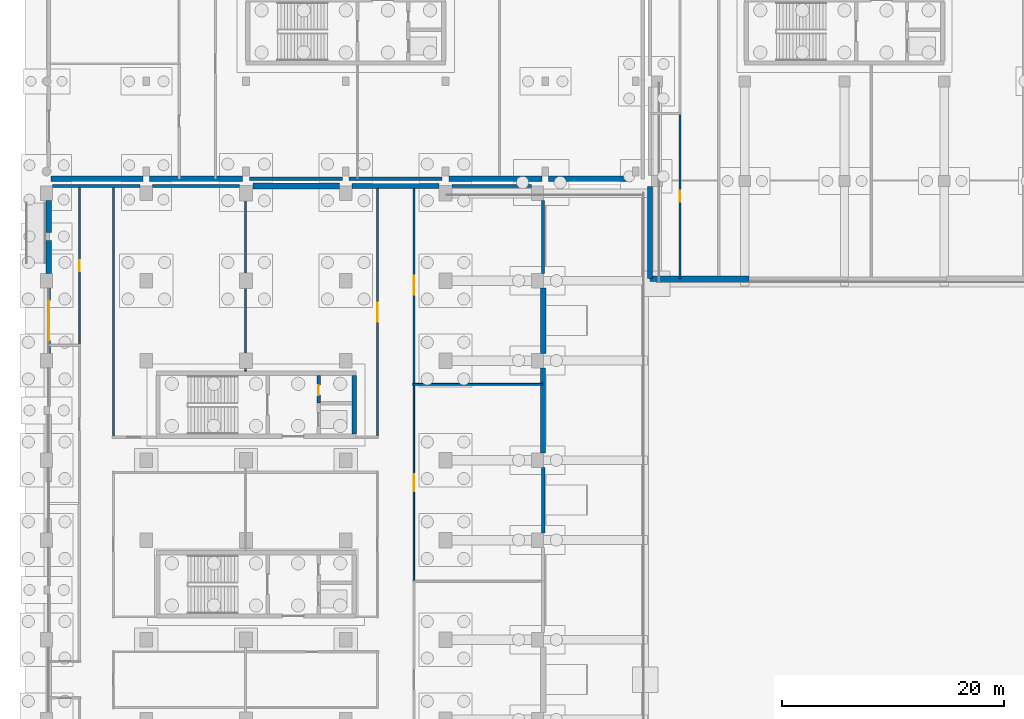
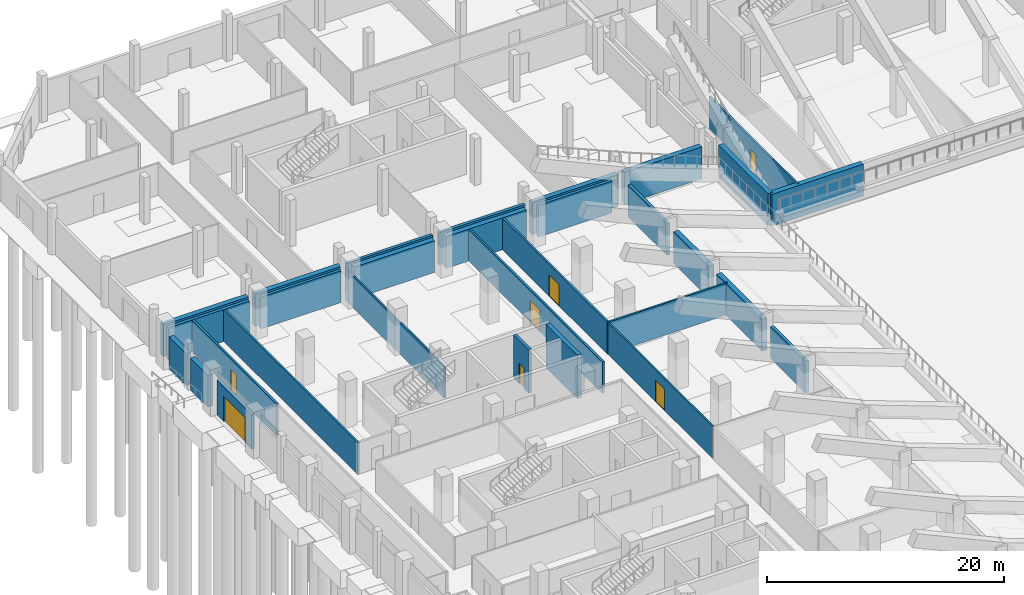
# One storey, part 22 of 53: 30 walls, 7 doors, 7 openings.
"""IFC4 building model written with IfcOpenShell, lengths in metres."""

from ifc_helpers import new_model, si_unit, direction, frame, frame_2d, origin, place, context, subcontext, project, spatial, rectangle, extrude, material, layer, layer_set, type_object, element, fill, save


model = new_model("IFC4")

# Units and contexts
model_context = context("Model", 3, precision=1e-05, world=origin(), true_north=direction((0.0, 1.0)))
body_context = subcontext(model_context, "Body", "Model", "MODEL_VIEW")
ifc_project = project(units=[si_unit("LENGTHUNIT", "METRE"), si_unit("AREAUNIT", "SQUARE_METRE"), si_unit("VOLUMEUNIT", "CUBIC_METRE"), si_unit("PLANEANGLEUNIT", "RADIAN"), si_unit("MASSUNIT", "GRAM", prefix="KILO"), si_unit("THERMODYNAMICTEMPERATUREUNIT", "KELVIN"), si_unit("POWERUNIT", "WATT")], contexts=[model_context])

# Site, building, storey
site_placement = place(None, origin())
site = spatial("IfcSite", under=ifc_project, at=site_placement, CompositionType="ELEMENT")
building_placement = place(site_placement, origin())
building = spatial("IfcBuilding", under=site, at=building_placement, Name="Sindhuravela Promenade Stadium", CompositionType="ELEMENT")
storey_placement = place(building_placement, origin())
storey = spatial("IfcBuildingStorey", under=building, at=storey_placement, Name="L00", CompositionType="ELEMENT", Elevation=0.0)

# Wall, opening, door
ifc_material_1 = material(Name="Dholpur sandstone ashlar (45 MPa)", Category="masonry")
ifc_layer_1 = layer(ifc_material_1, 0.2900390625)
ifc_layer_set_1 = layer_set([ifc_layer_1], Name="Dholpur sandstone ashlar (45 MPa)")
wall_type_1 = type_object("IfcWallType", Name="EX-WL-SND290", PredefinedType="SOLIDWALL", material=ifc_layer_set_1)
wall_1_placement = place(storey_placement, frame((0.199951171875, 110.455078125, 0.0), z_axis=(0.0, 0.0, 1.0), x_axis=(0.0, 1.0, 0.0)))
wall_1 = element("IfcWall", 1, at=wall_1_placement, inside=storey, type_object=wall_type_1, Name="Exterior masonry wall EW10 WEST L00", PredefinedType="SOLIDWALL", context=body_context, shape_type="SweptSolid", body=[
    extrude(rectangle(XDim=5.889892578125, YDim=0.2900390625, at=frame_2d((2.94482421875, 0.0))), origin(), (0.0, 0.0, 1.0), 3.580078125),
])
opening_1_placement = place(wall_1_placement, frame((1.14501953125, 0.0, 0.0)))
opening_1 = element("IfcOpeningElement", 2, at=opening_1_placement, cuts=wall_1, Name="Opening E13", PredefinedType="OPENING", context=body_context, shape_type="SweptSolid", body=[
    extrude(rectangle(XDim=3.60009765625, YDim=2.60009765625, at=frame_2d((1.800048828125, 1.300048828125))), frame((0.0, 0.155029296875, 0.0), z_axis=(0.0, -1.0, 0.0), x_axis=(1.0, 0.0, 0.0)), (0.0, 0.0, 1.0), 0.31005859375),
])
ifc_material_2 = material(Name="Anodised architectural aluminium 6063-T6", Category="aluminium")
door_type_1 = type_object("IfcDoorType", Name="DR-EXIT-3600x2600", OperationType="DOUBLE_DOOR_SINGLE_SWING", PredefinedType="DOOR", material=ifc_material_2)
door_1_placement = place(opening_1_placement, origin())
door_1 = element("IfcDoor", 3, at=door_1_placement, inside=storey, type_object=door_type_1, Name="Final exit door E13", OperationType="DOUBLE_DOOR_SINGLE_SWING", OverallHeight=2.60009765625, OverallWidth=3.60009765625, PredefinedType="DOOR", context=body_context, shape_type="SweptSolid", body=[
    extrude(rectangle(XDim=3.60009765625, YDim=2.60009765625, at=frame_2d((1.800048828125, 1.300048828125))), frame((0.0, 0.02490234375, 0.0), z_axis=(0.0, -1.0, 0.0), x_axis=(1.0, 0.0, 0.0)), (0.0, 0.0, 1.0), 0.050048828125),
])
fill(opening_1, door_1)

# Walls
wall_2_placement = place(storey_placement, frame((9.554931640625, 125.550048828125, 0.0), z_axis=(0.0, 0.0, 1.0), x_axis=(1.0, 0.0, 0.0)))
element("IfcWall", 4, at=wall_2_placement, inside=storey, type_object=wall_type_1, Name="Exterior masonry wall EW10 WEST L00", PredefinedType="SOLIDWALL", context=body_context, shape_type="SweptSolid", body=[
    extrude(rectangle(XDim=7.840087890625, YDim=0.2900390625, at=frame_2d((3.919921875, 0.0))), origin(), (0.0, 0.0, 1.0), 3.280029296875),
])
wall_3_placement = place(storey_placement, frame((44.800048828125, 124.2451171875, 0.0), z_axis=(0.0, 0.0, 1.0), x_axis=(0.0, -1.0, 0.0)))
element("IfcWall", 5, at=wall_3_placement, inside=storey, type_object=wall_type_1, Name="Exterior masonry wall EW10 WEST L00", PredefinedType="SOLIDWALL", context=body_context, shape_type="SweptSolid", body=[
    extrude(rectangle(XDim=6.590087890625, YDim=0.2900390625, at=frame_2d((3.294921875, 0.0))), origin(), (0.0, 0.0, 1.0), 3.280029296875),
])
wall_4_placement = place(storey_placement, frame((26.695068359375, 126.199951171875, 0.0), z_axis=(0.0, 0.0, 1.0), x_axis=(-1.0, 0.0, 0.0)))
element("IfcWall", 6, at=wall_4_placement, inside=storey, type_object=wall_type_1, Name="Exterior masonry wall EW10 Pavilion NW L00", PredefinedType="SOLIDWALL", context=body_context, shape_type="SweptSolid", body=[
    extrude(rectangle(XDim=8.39013671875, YDim=0.2900390625, at=frame_2d((4.195068359375, 0.0))), origin(), (0.0, 0.0, 1.0), 3.280029296875),
])
ifc_layer_2 = layer(ifc_material_1, 0.31005859375)
ifc_layer_set_2 = layer_set([ifc_layer_2], Name="Dholpur sandstone ashlar (45 MPa)")
wall_type_2 = type_object("IfcWallType", Name="EX-WL-SND310", PredefinedType="SOLIDWALL", material=ifc_layer_set_2)
wall_5_placement = place(storey_placement, frame((0.554931640625, 125.550048828125, 0.0), z_axis=(0.0, 0.0, 1.0), x_axis=(1.0, 0.0, 0.0)))
element("IfcWall", 7, at=wall_5_placement, inside=storey, type_object=wall_type_2, Name="Exterior masonry wall EW09 WEST L00", PredefinedType="SOLIDWALL", context=body_context, shape_type="SweptSolid", body=[
    extrude(rectangle(XDim=7.89013671875, YDim=0.31005859375, at=frame_2d((3.945068359375, 0.0))), origin(), (0.0, 0.0, 1.0), 3.280029296875),
])
wall_6_placement = place(storey_placement, frame((36.60498046875, 125.550048828125, 0.0), z_axis=(0.0, 0.0, 1.0), x_axis=(1.0, 0.0, 0.0)))
element("IfcWall", 8, at=wall_6_placement, inside=storey, type_object=wall_type_2, Name="Exterior masonry wall EW09 WEST L00", PredefinedType="SOLIDWALL", context=body_context, shape_type="SweptSolid", body=[
    extrude(rectangle(XDim=7.14013671875, YDim=0.31005859375, at=frame_2d((3.570068359375, 0.0))), origin(), (0.0, 0.0, 1.0), 3.280029296875),
])
wall_7_placement = place(storey_placement, frame((44.800048828125, 100.14501953125, 0.0), z_axis=(0.0, 0.0, 1.0), x_axis=(0.0, -1.0, 0.0)))
element("IfcWall", 9, at=wall_7_placement, inside=storey, type_object=wall_type_2, Name="Exterior masonry wall EW09 WEST L00", PredefinedType="SOLIDWALL", context=body_context, shape_type="SweptSolid", body=[
    extrude(rectangle(XDim=5.89013671875, YDim=0.31005859375, at=frame_2d((2.945068359375, 0.0))), origin(), (0.0, 0.0, 1.0), 3.280029296875),
])
wall_8_placement = place(storey_placement, frame((35.695068359375, 126.199951171875, 0.0), z_axis=(0.0, 0.0, 1.0), x_axis=(-1.0, 0.0, 0.0)))
element("IfcWall", 10, at=wall_8_placement, inside=storey, type_object=wall_type_2, Name="Exterior masonry wall EW09 Pavilion NW L00", PredefinedType="SOLIDWALL", context=body_context, shape_type="SweptSolid", body=[
    extrude(rectangle(XDim=8.39013671875, YDim=0.31005859375, at=frame_2d((4.195068359375, 0.0))), origin(), (0.0, 0.0, 1.0), 3.280029296875),
])
ifc_layer_3 = layer(ifc_material_1, 0.47998046875)
ifc_layer_set_3 = layer_set([ifc_layer_3], Name="Dholpur sandstone ashlar (45 MPa)")
wall_type_3 = type_object("IfcWallType", Name="EX-WL-SND480", PredefinedType="SOLIDWALL", material=ifc_layer_set_3)
wall_9_placement = place(storey_placement, frame((0.199951171875, 121.35498046875, 0.0), z_axis=(0.0, 0.0, 1.0), x_axis=(0.0, 1.0, 0.0)))
element("IfcWall", 11, at=wall_9_placement, inside=storey, type_object=wall_type_3, Name="Exterior masonry wall EW08 WEST L00", PredefinedType="SOLIDWALL", context=body_context, shape_type="SweptSolid", body=[
    extrude(rectangle(XDim=2.89013671875, YDim=0.47998046875, at=frame_2d((1.445068359375, 0.0))), origin(), (0.0, 0.0, 1.0), 3.280029296875),
])
wall_10_placement = place(storey_placement, frame((27.554931640625, 125.550048828125, 0.0), z_axis=(0.0, 0.0, 1.0), x_axis=(1.0, 0.0, 0.0)))
element("IfcWall", 12, at=wall_10_placement, inside=storey, type_object=wall_type_3, Name="Exterior masonry wall EW08 WEST L00", PredefinedType="SOLIDWALL", context=body_context, shape_type="SweptSolid", body=[
    extrude(rectangle(XDim=7.840087890625, YDim=0.47998046875, at=frame_2d((3.919921875, 0.0))), origin(), (0.0, 0.0, 1.0), 3.280029296875),
])
wall_11_placement = place(storey_placement, frame((44.800048828125, 109.14501953125, 0.0), z_axis=(0.0, 0.0, 1.0), x_axis=(0.0, -1.0, 0.0)))
element("IfcWall", 13, at=wall_11_placement, inside=storey, type_object=wall_type_3, Name="Exterior masonry wall EW08 WEST L00", PredefinedType="SOLIDWALL", context=body_context, shape_type="SweptSolid", body=[
    extrude(rectangle(XDim=7.68994140625, YDim=0.47998046875, at=frame_2d((3.844970703125, 0.0))), origin(), (0.0, 0.0, 1.0), 3.280029296875),
])
wall_12_placement = place(storey_placement, frame((54.449951171875, 117.199951171875, 0.0), z_axis=(0.0, 0.0, 1.0), x_axis=(0.0, 1.0, 0.0)))
element("IfcWall", 14, at=wall_12_placement, inside=storey, type_object=wall_type_3, Name="Exterior masonry wall EW08 NORTH L00", PredefinedType="SOLIDWALL", context=body_context, shape_type="SweptSolid", body=[
    extrude(rectangle(XDim=8.295166015625, YDim=0.47998046875, at=frame_2d((4.1474609375, 0.0))), origin(), (0.0, 0.0, 1.0), 3.280029296875),
])
wall_13_placement = place(storey_placement, frame((44.695068359375, 126.199951171875, 0.0), z_axis=(0.0, 0.0, 1.0), x_axis=(-1.0, 0.0, 0.0)))
element("IfcWall", 15, at=wall_13_placement, inside=storey, type_object=wall_type_3, Name="Exterior masonry wall EW08 Pavilion NW L00", PredefinedType="SOLIDWALL", context=body_context, shape_type="SweptSolid", body=[
    extrude(rectangle(XDim=8.39013671875, YDim=0.47998046875, at=frame_2d((4.195068359375, 0.0))), origin(), (0.0, 0.0, 1.0), 3.280029296875),
])
wall_14_placement = place(storey_placement, frame((8.695068359375, 126.199951171875, 0.0), z_axis=(0.0, 0.0, 1.0), x_axis=(-1.0, 0.0, 0.0)))
element("IfcWall", 16, at=wall_14_placement, inside=storey, type_object=wall_type_3, Name="Exterior masonry wall EW08 Pavilion NW L00", PredefinedType="SOLIDWALL", context=body_context, shape_type="SweptSolid", body=[
    extrude(rectangle(XDim=8.2900390625, YDim=0.47998046875, at=frame_2d((4.14501953125, 0.0))), origin(), (0.0, 0.0, 1.0), 3.280029296875),
])
ifc_layer_4 = layer(ifc_material_1, 0.5)
ifc_layer_set_4 = layer_set([ifc_layer_4], Name="Dholpur sandstone ashlar (45 MPa)")
wall_type_4 = type_object("IfcWallType", Name="EX-WL-SND500", PredefinedType="SOLIDWALL", material=ifc_layer_set_4)
wall_15_placement = place(storey_placement, frame((0.199951171875, 117.655029296875, 0.0), z_axis=(0.0, 0.0, 1.0), x_axis=(0.0, 1.0, 0.0)))
element("IfcWall", 17, at=wall_15_placement, inside=storey, type_object=wall_type_4, Name="Exterior masonry wall EW07 WEST L00", PredefinedType="SOLIDWALL", context=body_context, shape_type="SweptSolid", body=[
    extrude(rectangle(XDim=2.989990234375, YDim=0.5, at=frame_2d((1.4951171875, 0.0))), origin(), (0.0, 0.0, 1.0), 3.280029296875),
])
wall_16_placement = place(storey_placement, frame((18.60498046875, 125.550048828125, 0.0), z_axis=(0.0, 0.0, 1.0), x_axis=(1.0, 0.0, 0.0)))
element("IfcWall", 18, at=wall_16_placement, inside=storey, type_object=wall_type_4, Name="Exterior masonry wall EW07 WEST L00", PredefinedType="SOLIDWALL", context=body_context, shape_type="SweptSolid", body=[
    extrude(rectangle(XDim=7.840087890625, YDim=0.5, at=frame_2d((3.919921875, 0.0))), origin(), (0.0, 0.0, 1.0), 3.280029296875),
])
wall_17_placement = place(storey_placement, frame((44.800048828125, 116.344970703125, 0.0), z_axis=(0.0, 0.0, 1.0), x_axis=(0.0, -1.0, 0.0)))
element("IfcWall", 19, at=wall_17_placement, inside=storey, type_object=wall_type_4, Name="Exterior masonry wall EW07 WEST L00", PredefinedType="SOLIDWALL", context=body_context, shape_type="SweptSolid", body=[
    extrude(rectangle(XDim=5.889892578125, YDim=0.5, at=frame_2d((2.94482421875, 0.0))), origin(), (0.0, 0.0, 1.0), 3.280029296875),
])
wall_18_placement = place(storey_placement, frame((63.375, 117.199951171875, 0.0), z_axis=(0.0, 0.0, 1.0), x_axis=(-1.0, 0.0, 0.0)))
element("IfcWall", 20, at=wall_18_placement, inside=storey, type_object=wall_type_4, Name="Exterior masonry wall EW07 NORTH L00", PredefinedType="SOLIDWALL", context=body_context, shape_type="SweptSolid", body=[
    extrude(rectangle(XDim=8.925048828125, YDim=0.5, at=frame_2d((4.46240234375, 0.0))), origin(), (0.0, 0.0, 1.0), 3.280029296875),
])
wall_19_placement = place(storey_placement, frame((52.844970703125, 126.199951171875, 0.0), z_axis=(0.0, 0.0, 1.0), x_axis=(-1.0, 0.0, 0.0)))
element("IfcWall", 21, at=wall_19_placement, inside=storey, type_object=wall_type_4, Name="Exterior masonry wall EW07 Pavilion NW L00", PredefinedType="SOLIDWALL", context=body_context, shape_type="SweptSolid", body=[
    extrude(rectangle(XDim=7.5400390625, YDim=0.5, at=frame_2d((3.77001953125, 0.0))), origin(), (0.0, 0.0, 1.0), 3.280029296875),
])
wall_20_placement = place(storey_placement, frame((17.695068359375, 126.199951171875, 0.0), z_axis=(0.0, 0.0, 1.0), x_axis=(-1.0, 0.0, 0.0)))
element("IfcWall", 22, at=wall_20_placement, inside=storey, type_object=wall_type_4, Name="Exterior masonry wall EW07 Pavilion NW L00", PredefinedType="SOLIDWALL", context=body_context, shape_type="SweptSolid", body=[
    extrude(rectangle(XDim=8.39013671875, YDim=0.5, at=frame_2d((4.195068359375, 0.0))), origin(), (0.0, 0.0, 1.0), 3.280029296875),
])
ifc_material_3 = material(Name="Fire-rated gypsum partition board", Category="gypsum")
ifc_layer_5 = layer(ifc_material_3, 0.14990234375)
ifc_layer_set_5 = layer_set([ifc_layer_5], Name="Fire-rated gypsum partition board")
wall_type_5 = type_object("IfcWallType", Name="IN-WL-PAR150", PredefinedType="PARTITIONING", material=ifc_layer_set_5)
wall_21_placement = place(storey_placement, frame((17.949951171875, 125.510009765625, 0.0), z_axis=(0.0, 0.0, 1.0), x_axis=(0.0, -1.0, 0.0)))
element("IfcWall", 23, at=wall_21_placement, inside=storey, type_object=wall_type_5, Name="Interior partition IW04 WEST L00", PredefinedType="PARTITIONING", context=body_context, shape_type="SweptSolid", body=[
    extrude(rectangle(XDim=16.657958984375, YDim=0.14990234375, at=frame_2d((8.3291015625, 0.0))), origin(), (0.0, 0.0, 1.0), 3.280029296875),
])

# Wall, opening, door
wall_22_placement = place(storey_placement, frame((33.139892578125, 107.657958984375, 0.0), z_axis=(0.0, 0.0, 1.0), x_axis=(0.0, -1.0, 0.0)))
wall_22 = element("IfcWall", 24, at=wall_22_placement, inside=storey, type_object=wall_type_5, Name="Corridor partition IW04 Anti-Doping Testing Suite", PredefinedType="PARTITIONING", context=body_context, shape_type="SweptSolid", body=[
    extrude(rectangle(XDim=17.77197265625, YDim=0.14990234375, at=frame_2d((8.885986328125, 0.0))), origin(), (0.0, 0.0, 1.0), 3.280029296875),
])
opening_2_placement = place(wall_22_placement, frame((8.111083984375, 0.0, 0.0)))
opening_2 = element("IfcOpeningElement", 25, at=opening_2_placement, cuts=wall_22, Name="Opening ID02", PredefinedType="OPENING", context=body_context, shape_type="SweptSolid", body=[
    extrude(rectangle(XDim=1.550048828125, YDim=2.199951171875, at=frame_2d((0.77490234375, 1.10009765625))), frame((0.0, 0.0849609375, 0.0), z_axis=(0.0, -1.0, 0.0), x_axis=(1.0, 0.0, 0.0)), (0.0, 0.0, 1.0), 0.169921875),
])
ifc_material_4 = material(Name="Architectural teak timber leaf", Category="wood")
door_type_2 = type_object("IfcDoorType", Name="DR-INT-1550x2200", OperationType="DOUBLE_DOOR_SINGLE_SWING", PredefinedType="DOOR", material=ifc_material_4)
door_2_placement = place(opening_2_placement, origin())
door_2 = element("IfcDoor", 26, at=door_2_placement, inside=storey, type_object=door_type_2, Name="Anti-Doping Testing Suite door", OperationType="DOUBLE_DOOR_SINGLE_SWING", OverallHeight=2.199951171875, OverallWidth=1.550048828125, PredefinedType="DOOR", context=body_context, shape_type="SweptSolid", body=[
    extrude(rectangle(XDim=1.550048828125, YDim=2.199951171875, at=frame_2d((0.77490234375, 1.10009765625))), frame((0.0, 0.02490234375, 0.0), z_axis=(0.0, -1.0, 0.0), x_axis=(1.0, 0.0, 0.0)), (0.0, 0.0, 1.0), 0.050048828125),
])
fill(opening_2, door_2)

# Walls
ifc_layer_6 = layer(ifc_material_3, 0.175048828125)
ifc_layer_set_6 = layer_set([ifc_layer_6], Name="Fire-rated gypsum partition board")
wall_type_6 = type_object("IfcWallType", Name="IN-WL-PAR175", PredefinedType="PARTITIONING", material=ifc_layer_set_6)
wall_23_placement = place(storey_placement, frame((6.0400390625, 102.81005859375, 0.0), z_axis=(0.0, 0.0, 1.0), x_axis=(0.0, 1.0, 0.0)))
element("IfcWall", 27, at=wall_23_placement, inside=storey, type_object=wall_type_6, Name="Interior partition IW03 WEST L00", PredefinedType="PARTITIONING", context=body_context, shape_type="SweptSolid", body=[
    extrude(rectangle(XDim=22.699951171875, YDim=0.175048828125, at=frame_2d((11.35009765625, 0.0))), origin(), (0.0, 0.0, 1.0), 3.280029296875),
])
wall_24_placement = place(storey_placement, frame((44.760009765625, 107.657958984375, 0.0), z_axis=(0.0, 0.0, 1.0), x_axis=(-1.0, 0.0, 0.0)))
element("IfcWall", 28, at=wall_24_placement, inside=storey, type_object=wall_type_6, Name="Interior partition IW03 WEST L00", PredefinedType="PARTITIONING", context=body_context, shape_type="SweptSolid", body=[
    extrude(rectangle(XDim=11.699951171875, YDim=0.175048828125, at=frame_2d((5.85009765625, 0.0))), origin(), (0.0, 0.0, 1.0), 3.280029296875),
])

# Wall, opening, door
wall_25_placement = place(storey_placement, frame((57.159912109375, 117.199951171875, 0.0), z_axis=(0.0, 0.0, 1.0), x_axis=(0.0, 1.0, 0.0)))
wall_25 = element("IfcWall", 29, at=wall_25_placement, inside=storey, type_object=wall_type_6, Name="Corridor partition IW03 North Field Concourse Hall 9", PredefinedType="PARTITIONING", context=body_context, shape_type="SweptSolid", body=[
    extrude(rectangle(XDim=14.89013671875, YDim=0.175048828125, at=frame_2d((7.445068359375, 0.0))), origin(), (0.0, 0.0, 1.0), 3.280029296875),
])
opening_3_placement = place(wall_25_placement, frame((6.945068359375, 0.0, 0.0)))
opening_3 = element("IfcOpeningElement", 30, at=opening_3_placement, cuts=wall_25, Name="Opening ID08", PredefinedType="OPENING", context=body_context, shape_type="SweptSolid", body=[
    extrude(rectangle(XDim=1.0, YDim=2.10009765625, at=frame_2d((0.5, 1.050048828125))), frame((0.0, 0.097412109375, 0.0), z_axis=(0.0, -1.0, 0.0), x_axis=(1.0, 0.0, 0.0)), (0.0, 0.0, 1.0), 0.195068359375),
])
door_type_3 = type_object("IfcDoorType", Name="DR-INT-1000x2100", OperationType="NOTDEFINED", PredefinedType="DOOR", material=ifc_material_4)
door_3_placement = place(opening_3_placement, origin())
door_3 = element("IfcDoor", 31, at=door_3_placement, inside=storey, type_object=door_type_3, Name="North Field Concourse Hall 9 door", OperationType="SINGLE_SWING_RIGHT", OverallHeight=2.10009765625, OverallWidth=1.0, PredefinedType="DOOR", context=body_context, shape_type="SweptSolid", body=[
    extrude(rectangle(XDim=1.0, YDim=2.10009765625, at=frame_2d((0.5, 1.050048828125))), frame((0.0, 0.02490234375, 0.0), z_axis=(0.0, -1.0, 0.0), x_axis=(1.0, 0.0, 0.0)), (0.0, 0.0, 1.0), 0.050048828125),
])
fill(opening_3, door_3)

ifc_layer_7 = layer(ifc_material_3, 0.195068359375)
ifc_layer_set_7 = layer_set([ifc_layer_7], Name="Fire-rated gypsum partition board")
wall_type_7 = type_object("IfcWallType", Name="IN-WL-PAR195", PredefinedType="PARTITIONING", material=ifc_layer_set_7)
wall_26_placement = place(storey_placement, frame((29.860107421875, 102.77001953125, 0.0), z_axis=(0.0, 0.0, 1.0), x_axis=(0.0, 1.0, 0.0)))
wall_26 = element("IfcWall", 32, at=wall_26_placement, inside=storey, type_object=wall_type_7, Name="Corridor partition IW02 Home Team Changing Suite", PredefinedType="PARTITIONING", context=body_context, shape_type="SweptSolid", body=[
    extrude(rectangle(XDim=22.780029296875, YDim=0.195068359375, at=frame_2d((11.39013671875, 0.0))), origin(), (0.0, 0.0, 1.0), 3.280029296875),
])
opening_4_placement = place(wall_26_placement, frame((10.5400390625, 0.0, 0.0)))
opening_4 = element("IfcOpeningElement", 33, at=opening_4_placement, cuts=wall_26, Name="Opening ID01", PredefinedType="OPENING", context=body_context, shape_type="SweptSolid", body=[
    extrude(rectangle(XDim=1.699951171875, YDim=2.199951171875, at=frame_2d((0.85009765625, 1.10009765625))), frame((0.0, 0.107421875, 0.0), z_axis=(0.0, -1.0, 0.0), x_axis=(1.0, 0.0, 0.0)), (0.0, 0.0, 1.0), 0.215087890625),
])
door_type_4 = type_object("IfcDoorType", Name="DR-INT-1700x2200", OperationType="DOUBLE_DOOR_SINGLE_SWING", PredefinedType="DOOR", material=ifc_material_4)
door_4_placement = place(opening_4_placement, origin())
door_4 = element("IfcDoor", 34, at=door_4_placement, inside=storey, type_object=door_type_4, Name="Home Team Changing Suite door", OperationType="DOUBLE_DOOR_SINGLE_SWING", OverallHeight=2.199951171875, OverallWidth=1.699951171875, PredefinedType="DOOR", context=body_context, shape_type="SweptSolid", body=[
    extrude(rectangle(XDim=1.699951171875, YDim=2.199951171875, at=frame_2d((0.85009765625, 1.10009765625))), frame((0.0, 0.02490234375, 0.0), z_axis=(0.0, -1.0, 0.0), x_axis=(1.0, 0.0, 0.0)), (0.0, 0.0, 1.0), 0.050048828125),
])
fill(opening_4, door_4)

wall_27_placement = place(storey_placement, frame((33.139892578125, 125.550048828125, 0.0), z_axis=(0.0, 0.0, 1.0), x_axis=(0.0, -1.0, 0.0)))
wall_27 = element("IfcWall", 35, at=wall_27_placement, inside=storey, type_object=wall_type_7, Name="Corridor partition IW02 Medical and First Aid Clinic", PredefinedType="PARTITIONING", context=body_context, shape_type="SweptSolid", body=[
    extrude(rectangle(XDim=17.89208984375, YDim=0.195068359375, at=frame_2d((8.946044921875, 0.0))), origin(), (0.0, 0.0, 1.0), 3.280029296875),
])
opening_5_placement = place(wall_27_placement, frame((8.095947265625, 0.0, 0.0)))
opening_5 = element("IfcOpeningElement", 36, at=opening_5_placement, cuts=wall_27, Name="Opening ID01", PredefinedType="OPENING", context=body_context, shape_type="SweptSolid", body=[
    extrude(rectangle(XDim=1.699951171875, YDim=2.199951171875, at=frame_2d((0.85009765625, 1.10009765625))), frame((0.0, 0.107421875, 0.0), z_axis=(0.0, -1.0, 0.0), x_axis=(1.0, 0.0, 0.0)), (0.0, 0.0, 1.0), 0.215087890625),
])
door_5_placement = place(opening_5_placement, origin())
door_5 = element("IfcDoor", 37, at=door_5_placement, inside=storey, type_object=door_type_4, Name="Medical and First Aid Clinic door", OperationType="DOUBLE_DOOR_SINGLE_SWING", OverallHeight=2.199951171875, OverallWidth=1.699951171875, PredefinedType="DOOR", context=body_context, shape_type="SweptSolid", body=[
    extrude(rectangle(XDim=1.699951171875, YDim=2.199951171875, at=frame_2d((0.85009765625, 1.10009765625))), frame((0.0, 0.02490234375, 0.0), z_axis=(0.0, -1.0, 0.0), x_axis=(1.0, 0.0, 0.0)), (0.0, 0.0, 1.0), 0.050048828125),
])
fill(opening_5, door_5)

wall_28_placement = place(storey_placement, frame((2.9599609375, 111.166748046875, 0.0), z_axis=(0.0, 0.0, 1.0), x_axis=(0.0, 1.0, 0.0)))
wall_28 = element("IfcWall", 38, at=wall_28_placement, inside=storey, type_object=wall_type_7, Name="Corridor partition IW02 Indoor Player Warm-Up Hall 7", PredefinedType="PARTITIONING", context=body_context, shape_type="SweptSolid", body=[
    extrude(rectangle(XDim=14.38330078125, YDim=0.195068359375, at=frame_2d((7.191650390625, 0.0))), origin(), (0.0, 0.0, 1.0), 3.280029296875),
])
opening_6_placement = place(wall_28_placement, frame((6.681640625, 0.0, 0.0)))
opening_6 = element("IfcOpeningElement", 39, at=opening_6_placement, cuts=wall_28, Name="Opening ID11", PredefinedType="OPENING", context=body_context, shape_type="SweptSolid", body=[
    extrude(rectangle(XDim=1.02001953125, YDim=2.159912109375, at=frame_2d((0.510009765625, 1.080078125))), frame((0.0, 0.107421875, 0.0), z_axis=(0.0, -1.0, 0.0), x_axis=(1.0, 0.0, 0.0)), (0.0, 0.0, 1.0), 0.215087890625),
])
door_type_5 = type_object("IfcDoorType", Name="DR-INT-1020x2160", OperationType="NOTDEFINED", PredefinedType="DOOR", material=ifc_material_4)
door_6_placement = place(opening_6_placement, origin())
door_6 = element("IfcDoor", 40, at=door_6_placement, inside=storey, type_object=door_type_5, Name="Indoor Player Warm-Up Hall 7 door", OperationType="SINGLE_SWING_RIGHT", OverallHeight=2.159912109375, OverallWidth=1.02001953125, PredefinedType="DOOR", context=body_context, shape_type="SweptSolid", body=[
    extrude(rectangle(XDim=1.02001953125, YDim=2.159912109375, at=frame_2d((0.510009765625, 1.080078125))), frame((0.0, 0.02490234375, 0.0), z_axis=(0.0, -1.0, 0.0), x_axis=(1.0, 0.0, 0.0)), (0.0, 0.0, 1.0), 0.050048828125),
])
fill(opening_6, door_6)

ifc_material_5 = material(Name="Concrete M50", Category="concrete")
ifc_layer_8 = layer(ifc_material_5, 0.300048828125)
ifc_layer_set_8 = layer_set([ifc_layer_8], Name="Concrete M50")
wall_type_8 = type_object("IfcWallType", Name="RC-SW-300", PredefinedType="SHEAR", material=ifc_layer_set_8)
wall_29_placement = place(storey_placement, frame((24.550048828125, 105.949951171875, 0.0), z_axis=(0.0, 0.0, 1.0), x_axis=(0.0, 1.0, 0.0)))
wall_29 = element("IfcWall", 41, at=wall_29_placement, inside=storey, type_object=wall_type_8, Name="Core shear wall C04-RSR (L00)", PredefinedType="SHEAR", context=body_context, shape_type="SweptSolid", body=[
    extrude(rectangle(XDim=2.5, YDim=0.300048828125, at=frame_2d((1.25, 0.0))), origin(), (0.0, 0.0, 1.0), 4.5),
])
opening_7_placement = place(wall_29_placement, frame((0.72509765625, 0.0, 0.0)))
opening_7 = element("IfcOpeningElement", 42, at=opening_7_placement, cuts=wall_29, Name="Opening FD03", PredefinedType="OPENING", context=body_context, shape_type="SweptSolid", body=[
    extrude(rectangle(XDim=0.89990234375, YDim=2.10009765625, at=frame_2d((0.449951171875, 1.050048828125))), frame((0.0, 0.159912109375, 0.0), z_axis=(0.0, -1.0, 0.0), x_axis=(1.0, 0.0, 0.0)), (0.0, 0.0, 1.0), 0.320068359375),
])
ifc_material_6 = material(Name="Architectural wrought steel E350", Category="steel")
door_type_6 = type_object("IfcDoorType", Name="DR-RSR-900x2100", OperationType="NOTDEFINED", PredefinedType="DOOR", material=ifc_material_6)
door_7_placement = place(opening_7_placement, origin())
door_7 = element("IfcDoor", 43, at=door_7_placement, inside=storey, type_object=door_type_6, Name="Riser shaft access door C04 (L00)", OperationType="SINGLE_SWING_LEFT", OverallHeight=2.10009765625, OverallWidth=0.89990234375, PredefinedType="DOOR", context=body_context, shape_type="SweptSolid", body=[
    extrude(rectangle(XDim=0.89990234375, YDim=2.10009765625, at=frame_2d((0.449951171875, 1.050048828125))), frame((0.0, 0.02490234375, 0.0), z_axis=(0.0, -1.0, 0.0), x_axis=(1.0, 0.0, 0.0)), (0.0, 0.0, 1.0), 0.050048828125),
])
fill(opening_7, door_7)

# Wall
ifc_layer_9 = layer(ifc_material_5, 0.39990234375)
ifc_layer_set_9 = layer_set([ifc_layer_9], Name="Concrete M50")
wall_type_9 = type_object("IfcWallType", Name="RC-SW-400", PredefinedType="SHEAR", material=ifc_layer_set_9)
wall_30_placement = place(storey_placement, frame((27.75, 103.14990234375, 0.0), z_axis=(0.0, 0.0, 1.0), x_axis=(0.0, 1.0, 0.0)))
element("IfcWall", 44, at=wall_30_placement, inside=storey, type_object=wall_type_9, Name="Core shear wall C04-E (L00)", PredefinedType="SHEAR", context=body_context, shape_type="SweptSolid", body=[
    extrude(rectangle(XDim=5.300048828125, YDim=0.39990234375, at=frame_2d((2.64990234375, 0.0))), origin(), (0.0, 0.0, 1.0), 4.5),
])

save(model, "model.ifc")
